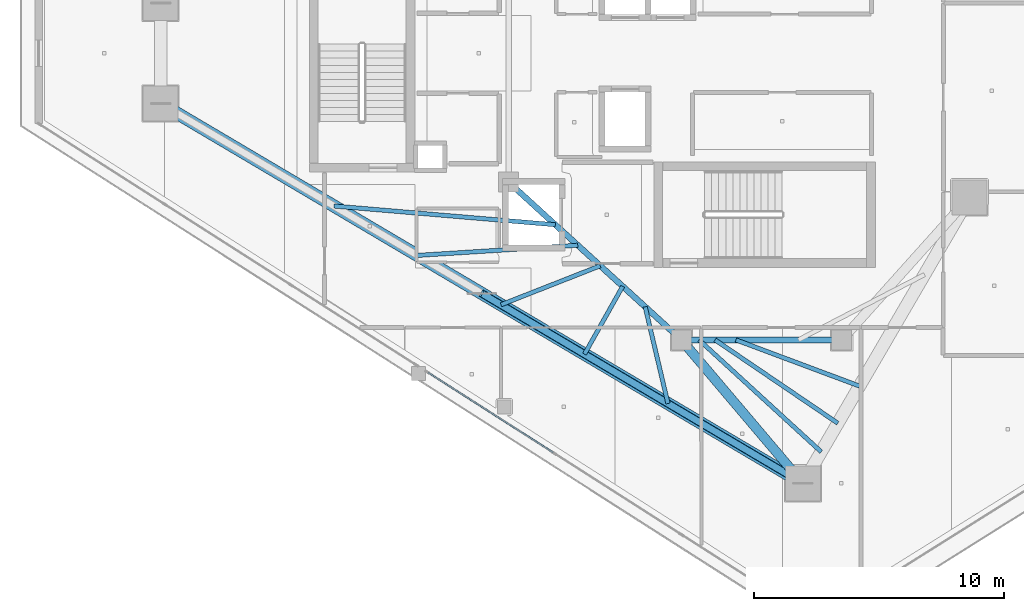
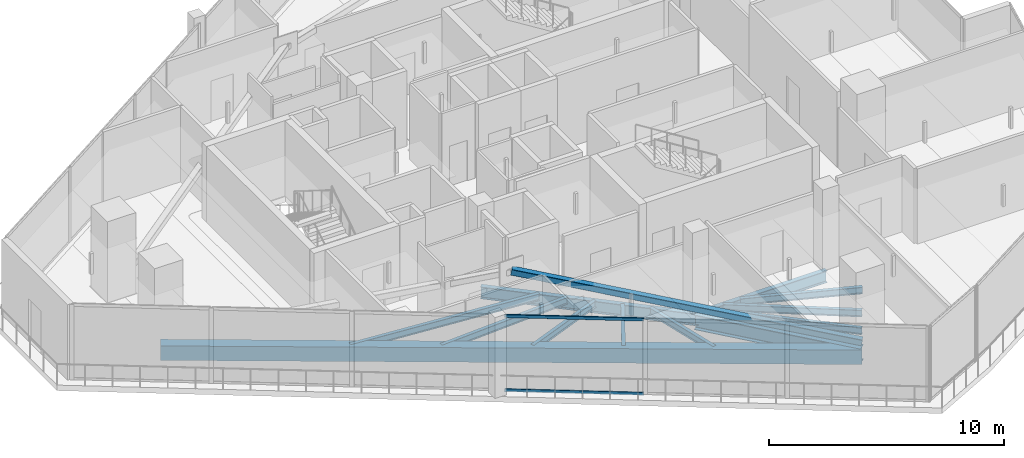
# One storey, part 4 of 30: 12 beams, 3 members, 1 element without a shape of its own.
"""IFC4 building model written with IfcOpenShell, lengths in metres."""

import ifcopenshell
import ifcopenshell.guid

model = None  # the IFC model being written
_history = None  # IfcOwnerHistory: only IFC2X3 demands one
_inside = {}  # id of a spatial element -> (the spatial element, [elements in it])
_under = {}  # id of a project, library or spatial element -> (it, [spatial elements below it])
_declared = {}  # id of a project -> (the project, [libraries it declares])
_typed = {}  # id of a type object -> (the type object, [elements of that type])
_made_of = {}  # id of a material, layer set ... -> (it, [elements and type objects made of it])


def new_model(schema):
    """Start an empty IFC model of exactly this schema.

    Asked for "IFC4X3", IfcOpenShell would pick the latest addendum, in which some entities
    have other attributes; the version numbers below select the first issue.
    IFC2X3 requires an IfcOwnerHistory on every rooted entity: one is made here for all.
    """
    global model, _history
    if schema == "IFC4X3":
        model = ifcopenshell.file(schema_version=(4, 3, 0, 0))
    else:
        model = ifcopenshell.file(schema=schema)
    _inside.clear()
    _under.clear()
    _declared.clear()
    _typed.clear()
    _made_of.clear()
    _history = None
    if model.schema == "IFC2X3":
        org = make("IfcOrganization", Name="unknown")
        user = make(
            "IfcPersonAndOrganization",
            ThePerson=make("IfcPerson", FamilyName="unknown"),
            TheOrganization=org,
        )
        app = make(
            "IfcApplication",
            ApplicationDeveloper=org,
            Version="unknown",
            ApplicationFullName="unknown",
            ApplicationIdentifier="unknown",
        )
        _history = make(
            "IfcOwnerHistory",
            OwningUser=user,
            OwningApplication=app,
            ChangeAction="ADDED",
            CreationDate=0,
        )
    return model


def make(cls, **values):
    """One entity of the class cls with the attributes given. An attribute that is None is left unset."""
    return model.create_entity(
        cls, **{name: value for name, value in values.items() if value is not None}
    )


def rooted(cls, **values):
    """An entity with a GlobalId (a new one), such as an element, a storey or a relation."""
    return make(cls, GlobalId=ifcopenshell.guid.new(), OwnerHistory=_history, **values)


def si_unit(unit_type, name, prefix=None):
    """IfcSIUnit, for example si_unit("LENGTHUNIT", "METRE", prefix="MILLI")."""
    return make("IfcSIUnit", UnitType=unit_type, Prefix=prefix, Name=name)


def assignment(units):
    """IfcUnitAssignment: the units of a project."""
    return None if units is None else make("IfcUnitAssignment", Units=units)


def point(xyz):
    """IfcCartesianPoint."""
    return None if xyz is None else make("IfcCartesianPoint", Coordinates=xyz)


def direction(xyz):
    """IfcDirection."""
    return None if xyz is None else make("IfcDirection", DirectionRatios=xyz)


def frame(location, z_axis=None, x_axis=None):
    """IfcAxis2Placement3D, a coordinate frame: its origin and axes. An axis left out is left unset."""
    return make(
        "IfcAxis2Placement3D",
        Location=point(location),
        Axis=direction(z_axis),
        RefDirection=direction(x_axis),
    )


def frame_2d(location, x_axis=None):
    """IfcAxis2Placement2D, a coordinate frame in the plane: its origin and x axis."""
    return make(
        "IfcAxis2Placement2D", Location=point(location), RefDirection=direction(x_axis)
    )


def origin():
    """The frame at (0, 0, 0) with its axes left unset."""
    return frame((0.0, 0.0, 0.0))


def origin_2d():
    """The frame at (0, 0) in the plane with its x axis left unset."""
    return frame_2d((0.0, 0.0))


def place(relative_to, where):
    """IfcLocalPlacement: puts the frame where relative to a parent placement (None: the world)."""
    return make(
        "IfcLocalPlacement", PlacementRelTo=relative_to, RelativePlacement=where
    )


def context(
    kind, dimensions, precision=None, world=None, true_north=None, identifier=None
):
    """IfcGeometricRepresentationContext, for example the 3D "Model" context."""
    return make(
        "IfcGeometricRepresentationContext",
        ContextIdentifier=identifier,
        ContextType=kind,
        CoordinateSpaceDimension=dimensions,
        Precision=precision,
        WorldCoordinateSystem=world,
        TrueNorth=true_north,
    )


def subcontext(parent, identifier, kind, view, scale=None):
    """IfcGeometricRepresentationSubContext, for example "Body" below "Model"."""
    return make(
        "IfcGeometricRepresentationSubContext",
        ContextIdentifier=identifier,
        ContextType=kind,
        ParentContext=parent,
        TargetScale=scale,
        TargetView=view,
    )


def project(units=None, contexts=None):
    """IfcProject with its units and contexts."""
    return rooted(
        "IfcProject",
        Name="project",
        RepresentationContexts=contexts,
        UnitsInContext=assignment(units),
    )


def spatial(cls, under=None, at=None, **own):
    """A site, building, storey or space (cls), placed at a placement, below another one or the project."""
    s = rooted(cls, ObjectPlacement=at, **own)
    if under is not None:
        _under.setdefault(under.id(), (under, []))[1].append(s)
    return s


def profile(cls, at=None, kind="AREA", **sizes):
    """A parametric profile (cls). Its sizes go by their IFC names, for example OverallWidth=200.0."""
    return make(cls, ProfileType=kind, Position=at, **sizes)


def rectangle(**sizes):
    """IfcRectangleProfileDef."""
    return profile("IfcRectangleProfileDef", **sizes)


def hollow_rectangle(**sizes):
    """IfcRectangleHollowProfileDef."""
    return profile("IfcRectangleHollowProfileDef", **sizes)


def i_section(**sizes):
    """IfcIShapeProfileDef."""
    return profile("IfcIShapeProfileDef", **sizes)


def extrude(swept, where, along, depth):
    """IfcExtrudedAreaSolid: the profile swept, set in the frame where, extruded along a direction by depth."""
    return make(
        "IfcExtrudedAreaSolid",
        SweptArea=swept,
        Position=where,
        ExtrudedDirection=direction(along),
        Depth=depth,
    )


def shape(context_of_items, identifier, shape_type, items):
    """IfcShapeRepresentation: the items that make up one representation, for example the "Body"."""
    return make(
        "IfcShapeRepresentation",
        ContextOfItems=context_of_items,
        RepresentationIdentifier=identifier,
        RepresentationType=shape_type,
        Items=items,
    )


def material(Name=None, Category=None):
    """IfcMaterial."""
    return make("IfcMaterial", Name=Name, Category=Category)


def layer(
    of_material, thickness, ventilated=None, Name=None, Category=None, Priority=None
):
    """IfcMaterialLayer: one layer of a wall or slab, of a material (None: an air gap)."""
    return make(
        "IfcMaterialLayer",
        Material=of_material,
        LayerThickness=thickness,
        IsVentilated=ventilated,
        Name=Name,
        Category=Category,
        Priority=Priority,
    )


def layer_set(layers, Name=None):
    """IfcMaterialLayerSet."""
    return make("IfcMaterialLayerSet", MaterialLayers=layers, LayerSetName=Name)


def material_profile(
    of_material, cross_section, Name=None, Category=None, Priority=None
):
    """IfcMaterialProfile: a cross section and its material."""
    return make(
        "IfcMaterialProfile",
        Name=Name,
        Material=of_material,
        Profile=cross_section,
        Priority=Priority,
        Category=Category,
    )


def profile_set(profiles, Name=None, composite=None):
    """IfcMaterialProfileSet."""
    return make(
        "IfcMaterialProfileSet",
        Name=Name,
        MaterialProfiles=profiles,
        CompositeProfile=composite,
    )


def made_of(thing, what):
    """Note that an element or type object is made of a material, layer set ...; save() writes the relation."""
    if what is not None:
        _made_of.setdefault(what.id(), (what, []))[1].append(thing)
    return thing


def type_object(cls, material=None, **own):
    """A type object (cls), such as IfcWallType, which elements share."""
    return made_of(rooted(cls, **own), material)


def element(
    cls,
    number,
    at=None,
    inside=None,
    cuts=None,
    type_object=None,
    material=None,
    context=None,
    identifier="Body",
    shape_type=None,
    held_by="IfcProductDefinitionShape",
    body=None,
    shapes=None,
    **own,
):
    """One element of the class cls, such as IfcWall. Its Tag is "e" and its number.

    at: its placement. inside: the storey or other place that contains it. cuts: it is an
    opening in that element (IfcRelVoidsElement). A single representation is given by context,
    identifier, shape_type and body (its items); several are given by shapes. held_by: the class
    of the entity that holds the representations. save() writes the other relations.
    """
    e = rooted(cls, Tag="e%d" % number, ObjectPlacement=at, **own)
    if body is not None:
        shapes = [shape(context, identifier, shape_type, body)]
    if shapes is not None:
        e.Representation = make(held_by, Representations=shapes)
    if inside is not None:
        _inside.setdefault(inside.id(), (inside, []))[1].append(e)
    if cuts is not None:
        rooted(
            "IfcRelVoidsElement", RelatingBuildingElement=cuts, RelatedOpeningElement=e
        )
    if type_object is not None:
        _typed.setdefault(type_object.id(), (type_object, []))[1].append(e)
    return made_of(e, material)


def aggregate(whole, parts):
    """IfcRelAggregates: a whole, such as a stair, and the parts it consists of."""
    return rooted("IfcRelAggregates", RelatingObject=whole, RelatedObjects=parts)


def save(model, path):
    """Write the relations noted so far, then the file.

    IfcRelAggregates (storeys below a building ...), IfcRelContainedInSpatialStructure (elements
    in a storey), IfcRelDefinesByType, IfcRelAssociatesMaterial and IfcRelDeclares: one each for
    every whole, place, type object, material and project.
    """
    for whole, parts in _under.values():
        aggregate(whole, parts)
    for where, things in _inside.values():
        rooted(
            "IfcRelContainedInSpatialStructure",
            RelatedElements=things,
            RelatingStructure=where,
        )
    for kind, things in _typed.values():
        rooted("IfcRelDefinesByType", RelatedObjects=things, RelatingType=kind)
    for what, things in _made_of.values():
        rooted("IfcRelAssociatesMaterial", RelatedObjects=things, RelatingMaterial=what)
    for by, libraries in _declared.values():
        rooted("IfcRelDeclares", RelatingContext=by, RelatedDefinitions=libraries)
    model.write(path)


model = new_model("IFC4")

# Units and contexts
model_context = context("Model", 3, precision=1e-05, world=origin(), true_north=direction((0.0, 1.0)))
body_context = subcontext(model_context, "Body", "Model", "MODEL_VIEW")
ifc_project = project(units=[si_unit("LENGTHUNIT", "METRE"), si_unit("AREAUNIT", "SQUARE_METRE"), si_unit("VOLUMEUNIT", "CUBIC_METRE"), si_unit("PLANEANGLEUNIT", "RADIAN"), si_unit("MASSUNIT", "GRAM", prefix="KILO")], contexts=[model_context])

# Site, building, storey
site_placement = place(None, origin())
site = spatial("IfcSite", under=ifc_project, at=site_placement, CompositionType="ELEMENT")
building_placement = place(site_placement, origin())
building = spatial("IfcBuilding", under=site, at=building_placement, Name="Qorvath Tower", CompositionType="ELEMENT")
storey_placement = place(building_placement, frame((0.0, 0.0, 301.800048828125)))
storey = spatial("IfcBuildingStorey", under=building, at=storey_placement, Name="L70", CompositionType="ELEMENT", Elevation=301.800048828125)

# Beams
ifc_material_1 = material(Name="Steel ASTM A992 Grade 50", Category="steel")
ifc_material_profile_1 = material_profile(ifc_material_1, i_section(OverallWidth=0.381103515625, OverallDepth=0.77294921875, WebThickness=0.0166015625, FlangeThickness=0.027099609375, FilletRadius=0.01904296875, at=origin_2d()), Name="W30x173")
ifc_profile_set_1 = profile_set([ifc_material_profile_1], Name="Steel ASTM A992 Grade 50")
beam_type_1 = type_object("IfcBeamType", Name="BM-FG3", PredefinedType="BEAM", material=ifc_profile_set_1)
beam_1_placement = place(storey_placement, frame((-23.60009765625, -11.449951171875, -0.676513671875), z_axis=(0.646321389876, -0.763065305848, 0.0), x_axis=(0.763065305848, 0.646321389876, 0.0)))
element("IfcBeam", 1, at=beam_1_placement, inside=storey, type_object=beam_type_1, Name="Radial Floor Girder CC4-MC3 L70", PredefinedType="BEAM", context=body_context, shape_type="SweptSolid", body=[
    extrude(i_section(OverallWidth=0.381103515625, OverallDepth=0.77294921875, WebThickness=0.0166015625, FlangeThickness=0.027099609375, FilletRadius=0.01904296875, at=origin_2d()), origin(), (0.0, 0.0, 1.0), 7.50341796875),
])
ifc_material_2 = material(Name="Steel ASTM A992 Grade 50", Category="steel")
ifc_material_profile_2 = material_profile(ifc_material_2, i_section(OverallWidth=0.22998046875, OverallDepth=0.616943359375, WebThickness=0.01318359375, FlangeThickness=0.022216796875, FilletRadius=0.014892578125, at=origin_2d()), Name="W24x94")
ifc_profile_set_2 = profile_set([ifc_material_profile_2], Name="Steel ASTM A992 Grade 50")
beam_type_2 = type_object("IfcBeamType", Name="BM-FG6", PredefinedType="BEAM", material=ifc_profile_set_2)
beam_2_placement = place(storey_placement, frame((-17.199951171875, -11.449951171875, -0.5986328125), z_axis=(-1.0, 0.0, 0.0), x_axis=(0.0, -1.0, 0.0)))
element("IfcBeam", 2, at=beam_2_placement, inside=storey, type_object=beam_type_2, Name="Core Ring Girder CC3-CC4 L70", PredefinedType="BEAM", context=body_context, shape_type="SweptSolid", body=[
    extrude(i_section(OverallWidth=0.22998046875, OverallDepth=0.616943359375, WebThickness=0.01318359375, FlangeThickness=0.022216796875, FilletRadius=0.014892578125, at=origin_2d()), origin(), (0.0, 0.0, 1.0), 6.400146484375),
])
beam_3_placement = place(storey_placement, frame((-23.60009765625, -11.449951171875, -0.5986328125), z_axis=(-0.73847813985, 0.6742774184, 0.0), x_axis=(-0.6742774184, -0.73847813985, 0.0)))
element("IfcBeam", 3, at=beam_3_placement, inside=storey, type_object=beam_type_2, Name="Core Ring Girder CC4-CC6 L70", PredefinedType="BEAM", context=body_context, shape_type="SweptSolid", body=[
    extrude(i_section(OverallWidth=0.22998046875, OverallDepth=0.616943359375, WebThickness=0.01318359375, FlangeThickness=0.022216796875, FilletRadius=0.014892578125, at=origin_2d()), origin(), (0.0, 0.0, 1.0), 9.343505859375),
])
ifc_material_3 = material(Name="Steel ASTM A992 Grade 50", Category="steel")
ifc_material_profile_3 = material_profile(ifc_material_3, i_section(OverallWidth=0.1708984375, OverallDepth=0.35107421875, WebThickness=0.0068359375, FlangeThickness=0.009765625, FilletRadius=0.010009765625, at=origin_2d()), Name="W14x30")
ifc_profile_set_3 = profile_set([ifc_material_profile_3], Name="Steel ASTM A992 Grade 50")
beam_type_3 = type_object("IfcBeamType", Name="BM-FJ4", PredefinedType="JOIST", material=ifc_profile_set_3)
beam_4_placement = place(storey_placement, frame((-21.424072265625, -11.449951171875, -0.465576171875), z_axis=(0.936775909139, -0.349929844478, 0.0), x_axis=(0.349929844478, 0.936775909139, 0.0)))
element("IfcBeam", 4, at=beam_4_placement, inside=storey, type_object=beam_type_3, Name="Composite Floor Joist SE5 L70", PredefinedType="JOIST", context=body_context, shape_type="SweptSolid", body=[
    extrude(i_section(OverallWidth=0.1708984375, OverallDepth=0.35107421875, WebThickness=0.0068359375, FlangeThickness=0.009765625, FilletRadius=0.010009765625, at=origin_2d()), origin(), (0.0, 0.0, 1.0), 5.268798828125),
])
beam_5_placement = place(storey_placement, frame((-22.256103515625, -11.449951171875, -0.465576171875), z_axis=(0.827400561462, -0.56161224247, 0.0), x_axis=(0.56161224247, 0.827400561462, 0.0)))
element("IfcBeam", 5, at=beam_5_placement, inside=storey, type_object=beam_type_3, Name="Composite Floor Joist SE6 L70", PredefinedType="JOIST", context=body_context, shape_type="SweptSolid", body=[
    extrude(i_section(OverallWidth=0.1708984375, OverallDepth=0.35107421875, WebThickness=0.0068359375, FlangeThickness=0.009765625, FilletRadius=0.010009765625, at=origin_2d()), origin(), (0.0, 0.0, 1.0), 5.925537109375),
])
beam_6_placement = place(storey_placement, frame((-22.89599609375, -11.449951171875, -0.465576171875), z_axis=(0.737232260457, -0.675639396528, 0.0), x_axis=(0.675639396528, 0.737232260457, 0.0)))
element("IfcBeam", 6, at=beam_6_placement, inside=storey, type_object=beam_type_3, Name="Composite Floor Joist SE7 L70", PredefinedType="JOIST", context=body_context, shape_type="SweptSolid", body=[
    extrude(i_section(OverallWidth=0.1708984375, OverallDepth=0.35107421875, WebThickness=0.0068359375, FlangeThickness=0.009765625, FilletRadius=0.010009765625, at=origin_2d()), origin(), (0.0, 0.0, 1.0), 6.615478515625),
])
beam_7_placement = place(storey_placement, frame((-28.636962890625, -6.85107421875, -0.465576171875), z_axis=(-0.996436150147, 0.084350451576, 0.0), x_axis=(-0.084350451576, -0.996436150147, 0.0)))
element("IfcBeam", 7, at=beam_7_placement, inside=storey, type_object=beam_type_3, Name="Composite Floor Joist SW2 L70", PredefinedType="JOIST", context=body_context, shape_type="SweptSolid", body=[
    extrude(i_section(OverallWidth=0.1708984375, OverallDepth=0.35107421875, WebThickness=0.0068359375, FlangeThickness=0.009765625, FilletRadius=0.010009765625, at=origin_2d()), origin(), (0.0, 0.0, 1.0), 8.87109375),
])
beam_8_placement = place(storey_placement, frame((-27.739990234375, -7.669921875, -0.465576171875), z_axis=(-0.998006998641, -0.063103333222, 0.0), x_axis=(0.063103333222, -0.998006998641, 0.0)))
element("IfcBeam", 8, at=beam_8_placement, inside=storey, type_object=beam_type_3, Name="Composite Floor Joist SW3 L70", PredefinedType="JOIST", context=body_context, shape_type="SweptSolid", body=[
    extrude(i_section(OverallWidth=0.1708984375, OverallDepth=0.35107421875, WebThickness=0.0068359375, FlangeThickness=0.009765625, FilletRadius=0.010009765625, at=origin_2d()), origin(), (0.0, 0.0, 1.0), 6.41455078125),
])
beam_9_placement = place(storey_placement, frame((-26.843017578125, -8.489013671875, -0.465576171875), z_axis=(-0.930720832638, -0.365730408489, 0.0), x_axis=(0.365730408489, -0.930720832638, 0.0)))
element("IfcBeam", 9, at=beam_9_placement, inside=storey, type_object=beam_type_3, Name="Composite Floor Joist SW4 L70", PredefinedType="JOIST", context=body_context, shape_type="SweptSolid", body=[
    extrude(i_section(OverallWidth=0.1708984375, OverallDepth=0.35107421875, WebThickness=0.0068359375, FlangeThickness=0.009765625, FilletRadius=0.010009765625, at=origin_2d()), origin(), (0.0, 0.0, 1.0), 4.259033203125),
])
beam_10_placement = place(storey_placement, frame((-25.946044921875, -9.30810546875, -0.465576171875), z_axis=(-0.490626385489, -0.871370041866, 0.0), x_axis=(0.871370041866, -0.490626385489, 0.0)))
element("IfcBeam", 10, at=beam_10_placement, inside=storey, type_object=beam_type_3, Name="Composite Floor Joist SW5 L70", PredefinedType="JOIST", context=body_context, shape_type="SweptSolid", body=[
    extrude(i_section(OverallWidth=0.1708984375, OverallDepth=0.35107421875, WebThickness=0.0068359375, FlangeThickness=0.009765625, FilletRadius=0.010009765625, at=origin_2d()), origin(), (0.0, 0.0, 1.0), 3.110595703125),
])
beam_11_placement = place(storey_placement, frame((-25.049072265625, -10.126953125, -0.465576171875), z_axis=(0.22966321917, -0.973270160726, 0.0), x_axis=(0.973270160726, 0.22966321917, 0.0)))
element("IfcBeam", 11, at=beam_11_placement, inside=storey, type_object=beam_type_3, Name="Composite Floor Joist SW6 L70", PredefinedType="JOIST", context=body_context, shape_type="SweptSolid", body=[
    extrude(i_section(OverallWidth=0.1708984375, OverallDepth=0.35107421875, WebThickness=0.0068359375, FlangeThickness=0.009765625, FilletRadius=0.010009765625, at=origin_2d()), origin(), (0.0, 0.0, 1.0), 3.969482421875),
])
ifc_material_4 = material(Name="Concrete C45/55", Category="concrete")
ifc_material_profile_4 = material_profile(ifc_material_4, rectangle(XDim=0.5, YDim=0.75, at=origin_2d()), Name="RCB 750x500")
ifc_profile_set_4 = profile_set([ifc_material_profile_4], Name="Concrete C45/55")
beam_type_4 = type_object("IfcBeamType", Name="BM-RCB3", PredefinedType="SPANDREL", material=ifc_profile_set_4)
beam_12_placement = place(storey_placement, frame((-44.402587890625, -2.007568359375, -0.6650390625), z_axis=(0.860780849348, -0.508975765038, 0.0), x_axis=(0.508975765038, 0.860780849348, 0.0)))
element("IfcBeam", 12, at=beam_12_placement, inside=storey, type_object=beam_type_4, Name="Perimeter Loggia Frame Beam MC2-MC3 L70", PredefinedType="SPANDREL", context=body_context, shape_type="SweptSolid", body=[
    extrude(rectangle(XDim=0.5, YDim=0.75, at=origin_2d()), origin(), (0.0, 0.0, 1.0), 29.801025390625),
])

# Curtain wall, members
ifc_material_5 = material(Name="Anodised aluminium and triple low-E glass", Category="aluminium")
ifc_layer = layer(ifc_material_5, 0.179931640625)
ifc_layer_set = layer_set([ifc_layer], Name="CW-SYS-4")
curtain_wall_type = type_object("IfcCurtainWallType", Name="CW-SYS-4", PredefinedType="NOTDEFINED", material=ifc_layer_set)
curtain_wall_placement = place(storey_placement, origin())
curtain_wall = element("IfcCurtainWall", 13, at=curtain_wall_placement, inside=storey, type_object=curtain_wall_type, Name="Curtain Wall CW-4 CW-T-L70-2.2", PredefinedType="NOTDEFINED")
ifc_material_6 = material(Name="Anodised aluminium 6063-T6", Category="aluminium")
ifc_material_profile_5 = material_profile(ifc_material_6, hollow_rectangle(XDim=0.06494140625, YDim=0.159912109375, WallThickness=0.00341796875, InnerFilletRadius=0.00341796875, OuterFilletRadius=0.007080078125, at=origin_2d()), Name="CWT 160x65")
ifc_profile_set_5 = profile_set([ifc_material_profile_5], Name="Anodised aluminium 6063-T6")
member_type_1 = type_object("IfcMemberType", Name="CWT-160", PredefinedType="USERDEFINED", material=ifc_profile_set_5)
member_1_placement = place(storey_placement, frame((-33.720947265625, -12.751220703125, 0.032470703125), z_axis=(0.842598709252, -0.538541934455, 0.0), x_axis=(0.538541934455, 0.842598709252, 0.0)))
member_1 = element("IfcMember", 14, at=member_1_placement, type_object=member_type_1, Name="CW-4 transom 1.1", ObjectType="TRANSOM", PredefinedType="USERDEFINED", context=body_context, shape_type="SweptSolid", body=[
    extrude(hollow_rectangle(XDim=0.06494140625, YDim=0.159912109375, WallThickness=0.00341796875, InnerFilletRadius=0.00341796875, OuterFilletRadius=0.007080078125, at=origin_2d()), origin(), (0.0, 0.0, 1.0), 5.9306640625),
])
member_2_placement = place(storey_placement, frame((-33.720947265625, -12.751220703125, 3.87744140625), z_axis=(0.842598709252, -0.538541934455, 0.0), x_axis=(0.538541934455, 0.842598709252, 0.0)))
member_2 = element("IfcMember", 15, at=member_2_placement, type_object=member_type_1, Name="CW-4 transom 1.2", ObjectType="TRANSOM", PredefinedType="USERDEFINED", context=body_context, shape_type="SweptSolid", body=[
    extrude(hollow_rectangle(XDim=0.06494140625, YDim=0.159912109375, WallThickness=0.00341796875, InnerFilletRadius=0.00341796875, OuterFilletRadius=0.007080078125, at=origin_2d()), origin(), (0.0, 0.0, 1.0), 5.9306640625),
])
aggregate(curtain_wall, [member_1, member_2])

# Member
ifc_material_7 = material(Name="Steel ASTM A500 Grade C", Category="steel")
ifc_material_profile_6 = material_profile(ifc_material_7, hollow_rectangle(XDim=0.3046875, YDim=0.3046875, WallThickness=0.0126953125, InnerFilletRadius=0.0126953125, OuterFilletRadius=0.025390625, at=origin_2d()), Name="HSS 305x305x12.7")
ifc_profile_set_6 = profile_set([ifc_material_profile_6], Name="Steel ASTM A500 Grade C")
member_type_2 = type_object("IfcMemberType", Name="MEM-MB3", PredefinedType="BRACE", material=ifc_profile_set_6)
member_3_placement = place(storey_placement, frame((-18.75048828125, -17.175537109375, 0.0), z_axis=(-0.837219052796, 0.495039071419, 0.232380238843), x_axis=(-0.508972175844, -0.860782971612, 0.0)))
element("IfcMember", 16, at=member_3_placement, inside=storey, type_object=member_type_2, Name="Perimeter Chevron Brace L70-2B", PredefinedType="BRACE", context=body_context, shape_type="SweptSolid", body=[
    extrude(hollow_rectangle(XDim=0.3046875, YDim=0.3046875, WallThickness=0.0126953125, InnerFilletRadius=0.0126953125, OuterFilletRadius=0.025390625, at=origin_2d()), origin(), (0.0, 0.0, 1.0), 15.320068359375),
])

save(model, "model.ifc")
